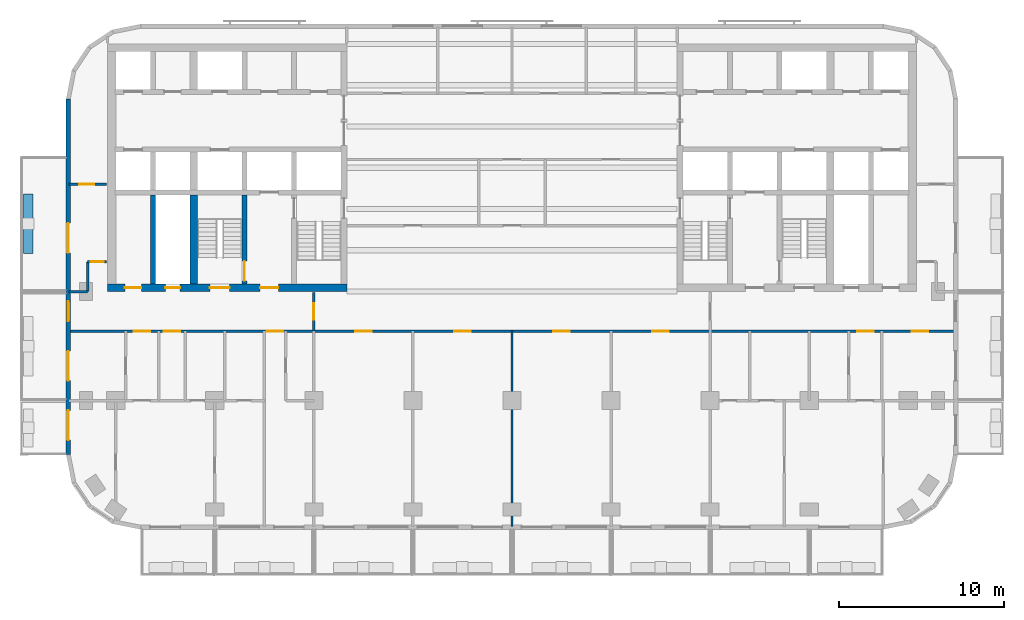
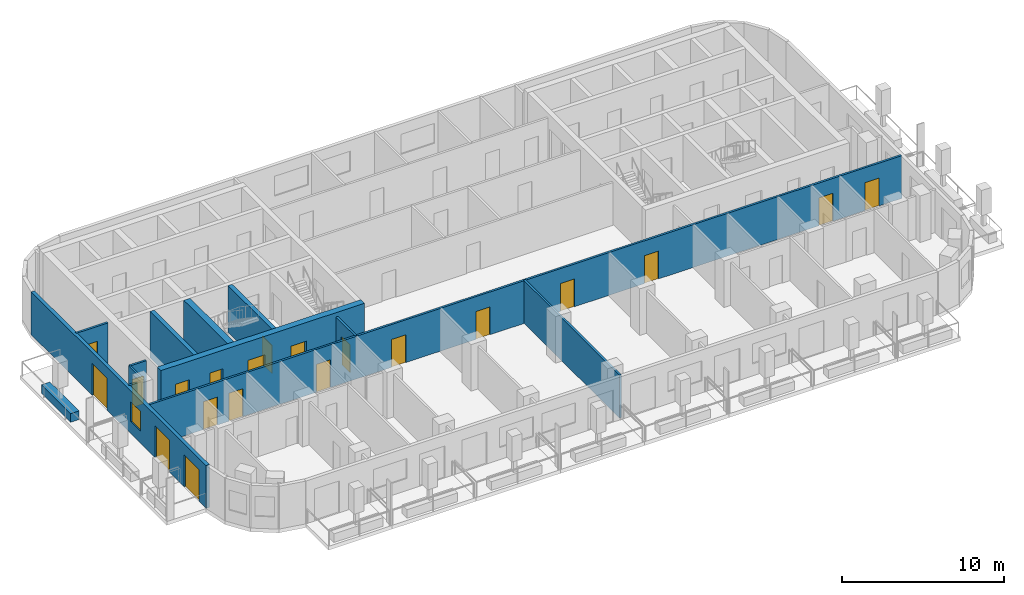
# One storey, part 3 of 11: 20 doors, 13 walls, 1 window, 21 openings.
"""IFC4 building model written with IfcOpenShell, lengths in metres."""

from ifc_helpers import new_model, si_unit, direction, frame, frame_2d, origin, place, context, subcontext, project, spatial, rectangle, extrude, material, layer, layer_set, type_object, element, fill, save


model = new_model("IFC4")

# Units and contexts
model_context = context("Model", 3, precision=1e-05, world=origin(), true_north=direction((0.0, 1.0)))
body_context = subcontext(model_context, "Body", "Model", "MODEL_VIEW")
ifc_project = project(units=[si_unit("LENGTHUNIT", "METRE"), si_unit("AREAUNIT", "SQUARE_METRE"), si_unit("VOLUMEUNIT", "CUBIC_METRE"), si_unit("PLANEANGLEUNIT", "RADIAN"), si_unit("MASSUNIT", "GRAM", prefix="KILO")], contexts=[model_context])

# Site, building, storey
site_placement = place(None, origin())
site = spatial("IfcSite", under=ifc_project, at=site_placement, CompositionType="ELEMENT")
building_placement = place(site_placement, origin())
building = spatial("IfcBuilding", under=site, at=building_placement, Name="Torana Hotel and Residences", CompositionType="ELEMENT")
storey_placement = place(building_placement, frame((0.0, 0.0, 236.10009765625)))
storey = spatial("IfcBuildingStorey", under=building, at=storey_placement, Name="L62", CompositionType="ELEMENT", Elevation=236.10009765625)

# Wall, opening, door
ifc_material_1 = material(Name="Concrete C70/85", Category="concrete")
ifc_layer_1 = layer(ifc_material_1, 0.300048828125)
ifc_layer_set_1 = layer_set([ifc_layer_1], Name="CORE WALL 300 C70/85")
wall_type_1 = type_object("IfcWallType", Name="CORE WALL 300 C70/85", PredefinedType="SHEAR", material=ifc_layer_set_1)
wall_1_placement = place(storey_placement, frame((-16.199951171875, -14.550048828125, 0.0), z_axis=(0.0, 0.0, 1.0), x_axis=(0.0, 1.0, 0.0)))
wall_1 = element("IfcWall", 1, at=wall_1_placement, inside=storey, type_object=wall_type_1, Name="Core wall W x6.05-band", PredefinedType="SHEAR", context=body_context, shape_type="SweptSolid", body=[
    extrude(rectangle(XDim=5.400146484375, YDim=0.300048828125, at=frame_2d((2.7001953125, 0.0))), origin(), (0.0, 0.0, 1.0), 3.5),
])
opening_1_placement = place(wall_1_placement, frame((0.199951171875, 0.0, 0.0)))
opening_1 = element("IfcOpeningElement", 2, at=opening_1_placement, cuts=wall_1, Name="Opening L62-13", PredefinedType="OPENING", context=body_context, shape_type="SweptSolid", body=[
    extrude(rectangle(XDim=1.199951171875, YDim=2.10009765625, at=frame_2d((0.60009765625, 1.050048828125))), frame((0.0, 0.159912109375, 0.0), z_axis=(0.0, -1.0, 0.0), x_axis=(1.0, 0.0, 0.0)), (0.0, 0.0, 1.0), 0.320068359375),
])
ifc_material_2 = material(Name="Steel S235", Category="steel")
door_type_1 = type_object("IfcDoorType", Name="STAIR FIRE DOOR D3 1200x2100", OperationType="SINGLE_SWING_LEFT", PredefinedType="DOOR", material=ifc_material_2)
door_1_placement = place(opening_1_placement, origin())
door_1 = element("IfcDoor", 3, at=door_1_placement, inside=storey, type_object=door_type_1, Name="Stair-B-lobby door L62", OperationType="SINGLE_SWING_RIGHT", OverallHeight=2.10009765625, OverallWidth=1.199951171875, PredefinedType="DOOR", context=body_context, shape_type="SweptSolid", body=[
    extrude(rectangle(XDim=1.199951171875, YDim=2.10009765625, at=frame_2d((0.60009765625, 1.050048828125))), frame((0.0, 0.02490234375, 0.0), z_axis=(0.0, -1.0, 0.0), x_axis=(1.0, 0.0, 0.0)), (0.0, 0.0, 1.0), 0.050048828125),
])
fill(opening_1, door_1)

# Wall
wall_2_placement = place(storey_placement, frame((-21.75, -14.550048828125, 0.0), z_axis=(0.0, 0.0, 1.0), x_axis=(0.0, 1.0, 0.0)))
element("IfcWall", 4, at=wall_2_placement, inside=storey, type_object=wall_type_1, Name="Core wall W mm-band", PredefinedType="SHEAR", context=body_context, shape_type="SweptSolid", body=[
    extrude(rectangle(XDim=5.400146484375, YDim=0.300048828125, at=frame_2d((2.7001953125, 0.0))), origin(), (0.0, 0.0, 1.0), 3.5),
])

# Wall, openings, doors
ifc_material_3 = material(Name="Concrete C70/85", Category="concrete")
ifc_layer_2 = layer(ifc_material_3, 0.449951171875)
ifc_layer_set_2 = layer_set([ifc_layer_2], Name="CORE WALL 450 C70/85")
wall_type_2 = type_object("IfcWallType", Name="CORE WALL 450 C70/85", PredefinedType="SHEAR", material=ifc_layer_set_2)
wall_3_placement = place(storey_placement, frame((-24.5, -14.77490234375, 0.0), z_axis=(0.0, 0.0, 1.0), x_axis=(1.0, 0.0, 0.0)))
wall_3 = element("IfcWall", 5, at=wall_3_placement, inside=storey, type_object=wall_type_2, Name="Core wall W front", PredefinedType="SHEAR", context=body_context, shape_type="SweptSolid", body=[
    extrude(rectangle(XDim=14.5, YDim=0.449951171875, at=frame_2d((7.25, 0.0))), origin(), (0.0, 0.0, 1.0), 3.5),
])
opening_2_placement = place(wall_3_placement, frame((6.199951171875, 0.0, 0.0)))
opening_2 = element("IfcOpeningElement", 6, at=opening_2_placement, cuts=wall_3, Name="Opening L62-04", PredefinedType="OPENING", context=body_context, shape_type="SweptSolid", body=[
    extrude(rectangle(XDim=1.199951171875, YDim=2.10009765625, at=frame_2d((0.60009765625, 1.050048828125))), frame((0.0, 0.23486328125, 0.0), z_axis=(0.0, -1.0, 0.0), x_axis=(1.0, 0.0, 0.0)), (0.0, 0.0, 1.0), 0.469970703125),
])
opening_3_placement = place(wall_3_placement, frame((9.25, 0.0, 0.0)))
opening_3 = element("IfcOpeningElement", 7, at=opening_3_placement, cuts=wall_3, Name="Opening L62-05", PredefinedType="OPENING", context=body_context, shape_type="SweptSolid", body=[
    extrude(rectangle(XDim=1.10009765625, YDim=2.10009765625, at=frame_2d((0.550048828125, 1.050048828125))), frame((0.0, 0.23486328125, 0.0), z_axis=(0.0, -1.0, 0.0), x_axis=(1.0, 0.0, 0.0)), (0.0, 0.0, 1.0), 0.469970703125),
])
opening_4_placement = place(wall_3_placement, frame((3.5, 0.0, 0.0)))
opening_4 = element("IfcOpeningElement", 8, at=opening_4_placement, cuts=wall_3, Name="Opening L62-06", PredefinedType="OPENING", context=body_context, shape_type="SweptSolid", body=[
    extrude(rectangle(XDim=0.89990234375, YDim=2.10009765625, at=frame_2d((0.449951171875, 1.050048828125))), frame((0.0, 0.23486328125, 0.0), z_axis=(0.0, -1.0, 0.0), x_axis=(1.0, 0.0, 0.0)), (0.0, 0.0, 1.0), 0.469970703125),
])
opening_5_placement = place(wall_3_placement, frame((1.050048828125, 0.0, 0.0)))
opening_5 = element("IfcOpeningElement", 9, at=opening_5_placement, cuts=wall_3, Name="Opening L62-07", PredefinedType="OPENING", context=body_context, shape_type="SweptSolid", body=[
    extrude(rectangle(XDim=1.0, YDim=2.10009765625, at=frame_2d((0.5, 1.050048828125))), frame((0.0, 0.23486328125, 0.0), z_axis=(0.0, -1.0, 0.0), x_axis=(1.0, 0.0, 0.0)), (0.0, 0.0, 1.0), 0.469970703125),
])
ifc_material_4 = material(Name="Steel S235", Category="steel")
door_type_2 = type_object("IfcDoorType", Name="CORE ROOM FIRE DOOR D14 1000x2100", OperationType="SINGLE_SWING_LEFT", PredefinedType="DOOR", material=ifc_material_4)
door_2_placement = place(opening_5_placement, origin())
door_2 = element("IfcDoor", 10, at=door_2_placement, inside=storey, type_object=door_type_2, Name="M-Room door L62", OperationType="SINGLE_SWING_RIGHT", OverallHeight=2.10009765625, OverallWidth=1.0, PredefinedType="DOOR", context=body_context, shape_type="SweptSolid", body=[
    extrude(rectangle(XDim=1.0, YDim=2.10009765625, at=frame_2d((0.5, 1.050048828125))), frame((0.0, 0.02490234375, 0.0), z_axis=(0.0, -1.0, 0.0), x_axis=(1.0, 0.0, 0.0)), (0.0, 0.0, 1.0), 0.050048828125),
])
fill(opening_5, door_2)
ifc_material_5 = material(Name="Steel S235", Category="steel")
door_type_3 = type_object("IfcDoorType", Name="FIRE-FIGHTING LOBBY DOOR D8 1100x2100", OperationType="SINGLE_SWING_LEFT", PredefinedType="DOOR", material=ifc_material_5)
door_3_placement = place(opening_3_placement, origin())
door_3 = element("IfcDoor", 11, at=door_3_placement, inside=storey, type_object=door_type_3, Name="FF-lobby door L62", OperationType="SINGLE_SWING_RIGHT", OverallHeight=2.10009765625, OverallWidth=1.10009765625, PredefinedType="DOOR", context=body_context, shape_type="SweptSolid", body=[
    extrude(rectangle(XDim=1.10009765625, YDim=2.10009765625, at=frame_2d((0.550048828125, 1.050048828125))), frame((0.0, 0.02490234375, 0.0), z_axis=(0.0, -1.0, 0.0), x_axis=(1.0, 0.0, 0.0)), (0.0, 0.0, 1.0), 0.050048828125),
])
fill(opening_3, door_3)
ifc_material_6 = material(Name="Steel S235", Category="steel")
door_type_4 = type_object("IfcDoorType", Name="RISER ACCESS DOOR D5 900x2100", OperationType="SINGLE_SWING_LEFT", PredefinedType="DOOR", material=ifc_material_6)
door_4_placement = place(opening_4_placement, origin())
door_4 = element("IfcDoor", 12, at=door_4_placement, inside=storey, type_object=door_type_4, Name="M-Riser door L62", OperationType="SINGLE_SWING_RIGHT", OverallHeight=2.10009765625, OverallWidth=0.89990234375, PredefinedType="DOOR", context=body_context, shape_type="SweptSolid", body=[
    extrude(rectangle(XDim=0.89990234375, YDim=2.10009765625, at=frame_2d((0.449951171875, 1.050048828125))), frame((0.0, 0.02490234375, 0.0), z_axis=(0.0, -1.0, 0.0), x_axis=(1.0, 0.0, 0.0)), (0.0, 0.0, 1.0), 0.050048828125),
])
fill(opening_4, door_4)
door_5_placement = place(opening_2_placement, origin())
door_5 = element("IfcDoor", 13, at=door_5_placement, inside=storey, type_object=door_type_1, Name="Stair-B door L62", OperationType="SINGLE_SWING_RIGHT", OverallHeight=2.10009765625, OverallWidth=1.199951171875, PredefinedType="DOOR", context=body_context, shape_type="SweptSolid", body=[
    extrude(rectangle(XDim=1.199951171875, YDim=2.10009765625, at=frame_2d((0.60009765625, 1.050048828125))), frame((0.0, 0.02490234375, 0.0), z_axis=(0.0, -1.0, 0.0), x_axis=(1.0, 0.0, 0.0)), (0.0, 0.0, 1.0), 0.050048828125),
])
fill(opening_2, door_5)

# Wall
wall_4_placement = place(storey_placement, frame((-19.27490234375, -14.550048828125, 0.0), z_axis=(0.0, 0.0, 1.0), x_axis=(0.0, 1.0, 0.0)))
element("IfcWall", 14, at=wall_4_placement, inside=storey, type_object=wall_type_2, Name="Core wall W hm-band", PredefinedType="SHEAR", context=body_context, shape_type="SweptSolid", body=[
    extrude(rectangle(XDim=5.400146484375, YDim=0.449951171875, at=frame_2d((2.7001953125, 0.0))), origin(), (0.0, 0.0, 1.0), 3.5),
])

# Wall, openings, doors, window
ifc_material_7 = material(Name="Black aluminium composite panel", Category="aluminium")
ifc_layer_3 = layer(ifc_material_7, 0.00390625, Name="Cladding", Category="cladding")
ifc_material_8 = material(Name="Ventilated air cavity")
ifc_layer_4 = layer(ifc_material_8, 0.0400390625, Name="Ventilated cavity", Category="cavity")
ifc_material_9 = material(Name="Mineral wool insulation")
ifc_layer_5 = layer(ifc_material_9, 0.090087890625, Name="Insulation", Category="insulation")
ifc_material_10 = material(Name="Steel S280GD", Category="steel")
ifc_layer_6 = layer(ifc_material_10, 0.092041015625, Name="Steel stud frame", Category="structure")
ifc_material_11 = material(Name="Fire rated plasterboard")
ifc_layer_7 = layer(ifc_material_11, 0.011962890625, Name="Inner board", Category="finish")
ifc_layer_8 = layer(ifc_material_11, 0.011962890625, Name="Second board", Category="finish")
ifc_layer_set_3 = layer_set([ifc_layer_3, ifc_layer_4, ifc_layer_5, ifc_layer_6, ifc_layer_7, ifc_layer_8], Name="EW1 EXTERNAL WALL BLACK METAL CLAD 250")
wall_type_3 = type_object("IfcWallType", Name="EW1 EXTERNAL WALL BLACK METAL CLAD 250", PredefinedType="SOLIDWALL", material=ifc_layer_set_3)
wall_5_placement = place(storey_placement, frame((-26.875, -3.32470703125, 0.0), z_axis=(0.0, 0.0, 1.0), x_axis=(0.0, -1.0, 0.0)))
wall_5 = element("IfcWall", 15, at=wall_5_placement, inside=storey, type_object=wall_type_3, Name="External wall L62 e0.9", PredefinedType="SOLIDWALL", context=body_context, shape_type="SweptSolid", body=[
    extrude(rectangle(XDim=21.55078125, YDim=0.25, at=frame_2d((10.775390625, 0.0))), origin(), (0.0, 0.0, 1.0), 3.219970703125),
])
opening_6_placement = place(wall_5_placement, frame((7.525390625, 0.0, 0.0)))
opening_6 = element("IfcOpeningElement", 16, at=opening_6_placement, cuts=wall_5, Name="Opening L62-E12", PredefinedType="OPENING", context=body_context, shape_type="SweptSolid", body=[
    extrude(rectangle(XDim=1.800048828125, YDim=2.39990234375, at=frame_2d((0.89990234375, 1.199951171875))), frame((0.0, 0.135009765625, 0.0), z_axis=(0.0, -1.0, 0.0), x_axis=(1.0, 0.0, 0.0)), (0.0, 0.0, 1.0), 0.27001953125),
])
opening_7_placement = place(wall_5_placement, frame((12.275390625, 0.0, 0.89990234375)))
opening_7 = element("IfcOpeningElement", 17, at=opening_7_placement, cuts=wall_5, Name="Opening W5", PredefinedType="OPENING", context=body_context, shape_type="SweptSolid", body=[
    extrude(rectangle(XDim=1.199951171875, YDim=1.5, at=frame_2d((0.60009765625, 0.75))), frame((0.0, 0.135009765625, 0.0), z_axis=(0.0, -1.0, 0.0), x_axis=(1.0, 0.0, 0.0)), (0.0, 0.0, 1.0), 0.27001953125),
])
opening_8_placement = place(wall_5_placement, frame((15.275390625, 0.0, 0.0)))
opening_8 = element("IfcOpeningElement", 18, at=opening_8_placement, cuts=wall_5, Name="Opening L62-E13", PredefinedType="OPENING", context=body_context, shape_type="SweptSolid", body=[
    extrude(rectangle(XDim=1.800048828125, YDim=2.39990234375, at=frame_2d((0.89990234375, 1.199951171875))), frame((0.0, 0.135009765625, 0.0), z_axis=(0.0, -1.0, 0.0), x_axis=(1.0, 0.0, 0.0)), (0.0, 0.0, 1.0), 0.27001953125),
])
opening_9_placement = place(wall_5_placement, frame((18.87548828125, 0.0, 0.0)))
opening_9 = element("IfcOpeningElement", 19, at=opening_9_placement, cuts=wall_5, Name="Opening L62-E14", PredefinedType="OPENING", context=body_context, shape_type="SweptSolid", body=[
    extrude(rectangle(XDim=1.800048828125, YDim=2.39990234375, at=frame_2d((0.89990234375, 1.199951171875))), frame((0.0, 0.135009765625, 0.0), z_axis=(0.0, -1.0, 0.0), x_axis=(1.0, 0.0, 0.0)), (0.0, 0.0, 1.0), 0.27001953125),
])
ifc_material_12 = material(Name="Dark glass in black aluminium frame", Category="aluminium")
door_type_5 = type_object("IfcDoorType", Name="DB1 BALCONY DOOR 1800x2400", OperationType="DOUBLE_DOOR_SINGLE_SWING", PredefinedType="DOOR", material=ifc_material_12)
door_6_placement = place(opening_6_placement, origin())
door_6 = element("IfcDoor", 20, at=door_6_placement, inside=storey, type_object=door_type_5, Name="Balcony door L62", OperationType="DOUBLE_DOOR_SINGLE_SWING", OverallHeight=2.39990234375, OverallWidth=1.800048828125, PredefinedType="DOOR", context=body_context, shape_type="SweptSolid", body=[
    extrude(rectangle(XDim=1.800048828125, YDim=2.39990234375, at=frame_2d((0.89990234375, 1.199951171875))), frame((0.0, 0.02490234375, 0.0), z_axis=(0.0, -1.0, 0.0), x_axis=(1.0, 0.0, 0.0)), (0.0, 0.0, 1.0), 0.050048828125),
])
fill(opening_6, door_6)
door_7_placement = place(opening_8_placement, origin())
door_7 = element("IfcDoor", 21, at=door_7_placement, inside=storey, type_object=door_type_5, Name="Balcony door L62", OperationType="DOUBLE_DOOR_SINGLE_SWING", OverallHeight=2.39990234375, OverallWidth=1.800048828125, PredefinedType="DOOR", context=body_context, shape_type="SweptSolid", body=[
    extrude(rectangle(XDim=1.800048828125, YDim=2.39990234375, at=frame_2d((0.89990234375, 1.199951171875))), frame((0.0, 0.02490234375, 0.0), z_axis=(0.0, -1.0, 0.0), x_axis=(1.0, 0.0, 0.0)), (0.0, 0.0, 1.0), 0.050048828125),
])
fill(opening_8, door_7)
door_8_placement = place(opening_9_placement, origin())
door_8 = element("IfcDoor", 22, at=door_8_placement, inside=storey, type_object=door_type_5, Name="Balcony door L62", OperationType="DOUBLE_DOOR_SINGLE_SWING", OverallHeight=2.39990234375, OverallWidth=1.800048828125, PredefinedType="DOOR", context=body_context, shape_type="SweptSolid", body=[
    extrude(rectangle(XDim=1.800048828125, YDim=2.39990234375, at=frame_2d((0.89990234375, 1.199951171875))), frame((0.0, 0.02490234375, 0.0), z_axis=(0.0, -1.0, 0.0), x_axis=(1.0, 0.0, 0.0)), (0.0, 0.0, 1.0), 0.050048828125),
])
fill(opening_9, door_8)
ifc_material_13 = material(Name="Dark glass in black aluminium frame", Category="aluminium")
window_type = type_object("IfcWindowType", Name="W5 CORNER FACET WINDOW 1200x1500", PartitioningType="SINGLE_PANEL", PredefinedType="WINDOW", material=ifc_material_13)
window_placement = place(opening_7_placement, origin())
window = element("IfcWindow", 23, at=window_placement, inside=storey, type_object=window_type, Name="Window L62", OverallHeight=1.5, OverallWidth=1.199951171875, PartitioningType="SINGLE_PANEL", PredefinedType="WINDOW", context=body_context, shape_type="SweptSolid", body=[
    extrude(rectangle(XDim=1.199951171875, YDim=1.5, at=frame_2d((0.60009765625, 0.75))), frame((0.0, 0.030029296875, 0.0), z_axis=(0.0, -1.0, 0.0), x_axis=(1.0, 0.0, 0.0)), (0.0, 0.0, 1.0), 0.06005859375),
])
fill(opening_7, window)

# Wall, opening, door
ifc_material_14 = material(Name="Gypsum plaster")
ifc_layer_9 = layer(ifc_material_14, 0.014892578125, Name="Plaster", Category="finish")
ifc_material_15 = material(Name="Concrete blockwork", Category="masonry")
ifc_layer_10 = layer(ifc_material_15, 0.1201171875, Name="Blockwork", Category="structure")
ifc_layer_11 = layer(ifc_material_14, 0.014892578125, Name="Plaster", Category="finish")
ifc_layer_set_4 = layer_set([ifc_layer_9, ifc_layer_10, ifc_layer_11], Name="FIRE PARTITION 150 BLOCKWORK")
wall_type_4 = type_object("IfcWallType", Name="FIRE PARTITION 150 BLOCKWORK", PredefinedType="PARTITIONING", material=ifc_layer_set_4)
wall_6_placement = place(storey_placement, frame((-12.0, -17.39990234375, 0.0), z_axis=(0.0, 0.0, 1.0), x_axis=(0.0, 1.0, 0.0)))
wall_6 = element("IfcWall", 24, at=wall_6_placement, inside=storey, type_object=wall_type_4, Name="Partition L62", PredefinedType="PARTITIONING", context=body_context, shape_type="SweptSolid", body=[
    extrude(rectangle(XDim=2.349853515625, YDim=0.14990234375, at=frame_2d((1.1748046875, 0.0))), origin(), (0.0, 0.0, 1.0), 3.219970703125),
])
opening_10_placement = place(wall_6_placement, frame((0.699951171875, 0.0, 0.0)))
opening_10 = element("IfcOpeningElement", 25, at=opening_10_placement, cuts=wall_6, Name="Opening L62-27", PredefinedType="OPENING", context=body_context, shape_type="SweptSolid", body=[
    extrude(rectangle(XDim=1.0, YDim=2.10009765625, at=frame_2d((0.5, 1.050048828125))), frame((0.0, 0.0849609375, 0.0), z_axis=(0.0, -1.0, 0.0), x_axis=(1.0, 0.0, 0.0)), (0.0, 0.0, 1.0), 0.169921875),
])
ifc_material_16 = material(Name="Steel S235", Category="steel")
door_type_6 = type_object("IfcDoorType", Name="ENTRY FIRE DOOR D6 1000x2100", OperationType="SINGLE_SWING_LEFT", PredefinedType="DOOR", material=ifc_material_16)
door_9_placement = place(opening_10_placement, origin())
door_9 = element("IfcDoor", 26, at=door_9_placement, inside=storey, type_object=door_type_6, Name="Door L62", OperationType="SINGLE_SWING_RIGHT", OverallHeight=2.10009765625, OverallWidth=1.0, PredefinedType="DOOR", context=body_context, shape_type="SweptSolid", body=[
    extrude(rectangle(XDim=1.0, YDim=2.10009765625, at=frame_2d((0.5, 1.050048828125))), frame((0.0, 0.02490234375, 0.0), z_axis=(0.0, -1.0, 0.0), x_axis=(1.0, 0.0, 0.0)), (0.0, 0.0, 1.0), 0.050048828125),
])
fill(opening_10, door_9)

# Wall
wall_7_placement = place(storey_placement, frame((-25.699951171875, -15.0, 0.0), z_axis=(0.0, 0.0, 1.0), x_axis=(0.0, 1.0, 0.0)))
element("IfcWall", 27, at=wall_7_placement, inside=storey, type_object=wall_type_4, Name="Partition L62", PredefinedType="PARTITIONING", context=body_context, shape_type="SweptSolid", body=[
    extrude(rectangle(XDim=1.800048828125, YDim=0.14990234375, at=frame_2d((0.89990234375, 0.0))), origin(), (0.0, 0.0, 1.0), 3.219970703125),
])

# Wall, openings, doors
wall_8_placement = place(storey_placement, frame((-26.820068359375, -17.39990234375, 0.0), z_axis=(0.0, 0.0, 1.0), x_axis=(1.0, 0.0, 0.0)))
wall_8 = element("IfcWall", 28, at=wall_8_placement, inside=storey, type_object=wall_type_4, Name="Partition L62", PredefinedType="PARTITIONING", context=body_context, shape_type="SweptSolid", body=[
    extrude(rectangle(XDim=53.64013671875, YDim=0.14990234375, at=frame_2d((26.820068359375, 0.0))), origin(), (0.0, 0.0, 1.0), 3.219970703125),
])
opening_11_placement = place(wall_8_placement, frame((11.969970703125, 0.0, 0.0)))
opening_11 = element("IfcOpeningElement", 29, at=opening_11_placement, cuts=wall_8, Name="Opening L62-28", PredefinedType="OPENING", context=body_context, shape_type="SweptSolid", body=[
    extrude(rectangle(XDim=1.0, YDim=2.10009765625, at=frame_2d((0.5, 1.050048828125))), frame((0.0, 0.0849609375, 0.0), z_axis=(0.0, -1.0, 0.0), x_axis=(1.0, 0.0, 0.0)), (0.0, 0.0, 1.0), 0.169921875),
])
opening_12_placement = place(wall_8_placement, frame((3.919921875, 0.0, 0.0)))
opening_12 = element("IfcOpeningElement", 30, at=opening_12_placement, cuts=wall_8, Name="Opening L62-29", PredefinedType="OPENING", context=body_context, shape_type="SweptSolid", body=[
    extrude(rectangle(XDim=1.0, YDim=2.10009765625, at=frame_2d((0.5, 1.050048828125))), frame((0.0, 0.0849609375, 0.0), z_axis=(0.0, -1.0, 0.0), x_axis=(1.0, 0.0, 0.0)), (0.0, 0.0, 1.0), 0.169921875),
])
opening_13_placement = place(wall_8_placement, frame((5.719970703125, 0.0, 0.0)))
opening_13 = element("IfcOpeningElement", 31, at=opening_13_placement, cuts=wall_8, Name="Opening L62-30", PredefinedType="OPENING", context=body_context, shape_type="SweptSolid", body=[
    extrude(rectangle(XDim=1.0, YDim=2.10009765625, at=frame_2d((0.5, 1.050048828125))), frame((0.0, 0.0849609375, 0.0), z_axis=(0.0, -1.0, 0.0), x_axis=(1.0, 0.0, 0.0)), (0.0, 0.0, 1.0), 0.169921875),
])
opening_14_placement = place(wall_8_placement, frame((47.719970703125, 0.0, 0.0)))
opening_14 = element("IfcOpeningElement", 32, at=opening_14_placement, cuts=wall_8, Name="Opening L62-33", PredefinedType="OPENING", context=body_context, shape_type="SweptSolid", body=[
    extrude(rectangle(XDim=1.0, YDim=2.10009765625, at=frame_2d((0.5, 1.050048828125))), frame((0.0, 0.0849609375, 0.0), z_axis=(0.0, -1.0, 0.0), x_axis=(1.0, 0.0, 0.0)), (0.0, 0.0, 1.0), 0.169921875),
])
opening_15_placement = place(wall_8_placement, frame((51.02001953125, 0.0, 0.0)))
opening_15 = element("IfcOpeningElement", 33, at=opening_15_placement, cuts=wall_8, Name="Opening L62-34", PredefinedType="OPENING", context=body_context, shape_type="SweptSolid", body=[
    extrude(rectangle(XDim=1.0, YDim=2.10009765625, at=frame_2d((0.5, 1.050048828125))), frame((0.0, 0.0849609375, 0.0), z_axis=(0.0, -1.0, 0.0), x_axis=(1.0, 0.0, 0.0)), (0.0, 0.0, 1.0), 0.169921875),
])
opening_16_placement = place(wall_8_placement, frame((17.320068359375, 0.0, 0.0)))
opening_16 = element("IfcOpeningElement", 34, at=opening_16_placement, cuts=wall_8, Name="Opening L62-37", PredefinedType="OPENING", context=body_context, shape_type="SweptSolid", body=[
    extrude(rectangle(XDim=1.0, YDim=2.10009765625, at=frame_2d((0.5, 1.050048828125))), frame((0.0, 0.0849609375, 0.0), z_axis=(0.0, -1.0, 0.0), x_axis=(1.0, 0.0, 0.0)), (0.0, 0.0, 1.0), 0.169921875),
])
opening_17_placement = place(wall_8_placement, frame((23.320068359375, 0.0, 0.0)))
opening_17 = element("IfcOpeningElement", 35, at=opening_17_placement, cuts=wall_8, Name="Opening L62-38", PredefinedType="OPENING", context=body_context, shape_type="SweptSolid", body=[
    extrude(rectangle(XDim=1.0, YDim=2.10009765625, at=frame_2d((0.5, 1.050048828125))), frame((0.0, 0.0849609375, 0.0), z_axis=(0.0, -1.0, 0.0), x_axis=(1.0, 0.0, 0.0)), (0.0, 0.0, 1.0), 0.169921875),
])
opening_18_placement = place(wall_8_placement, frame((29.320068359375, 0.0, 0.0)))
opening_18 = element("IfcOpeningElement", 36, at=opening_18_placement, cuts=wall_8, Name="Opening L62-39", PredefinedType="OPENING", context=body_context, shape_type="SweptSolid", body=[
    extrude(rectangle(XDim=1.0, YDim=2.10009765625, at=frame_2d((0.5, 1.050048828125))), frame((0.0, 0.0849609375, 0.0), z_axis=(0.0, -1.0, 0.0), x_axis=(1.0, 0.0, 0.0)), (0.0, 0.0, 1.0), 0.169921875),
])
opening_19_placement = place(wall_8_placement, frame((35.320068359375, 0.0, 0.0)))
opening_19 = element("IfcOpeningElement", 37, at=opening_19_placement, cuts=wall_8, Name="Opening L62-40", PredefinedType="OPENING", context=body_context, shape_type="SweptSolid", body=[
    extrude(rectangle(XDim=1.0, YDim=2.10009765625, at=frame_2d((0.5, 1.050048828125))), frame((0.0, 0.0849609375, 0.0), z_axis=(0.0, -1.0, 0.0), x_axis=(1.0, 0.0, 0.0)), (0.0, 0.0, 1.0), 0.169921875),
])
door_10_placement = place(opening_11_placement, frame((0.5, 0.0, 0.0), z_axis=(0.0, 0.0, 1.0), x_axis=(-1.0, 0.0, 0.0)))
door_10 = element("IfcDoor", 38, at=door_10_placement, inside=storey, type_object=door_type_6, Name="Door L62", OperationType="SINGLE_SWING_LEFT", OverallHeight=2.10009765625, OverallWidth=1.0, PredefinedType="DOOR", context=body_context, shape_type="SweptSolid", body=[
    extrude(rectangle(XDim=1.0, YDim=2.10009765625, at=frame_2d((0.0, 1.050048828125))), frame((0.0, -0.02490234375, 0.0), z_axis=(0.0, 1.0, 0.0), x_axis=(-1.0, 0.0, 0.0)), (0.0, 0.0, 1.0), 0.050048828125),
])
fill(opening_11, door_10)
door_11_placement = place(opening_12_placement, origin())
door_11 = element("IfcDoor", 39, at=door_11_placement, inside=storey, type_object=door_type_6, Name="Door L62", OperationType="SINGLE_SWING_RIGHT", OverallHeight=2.10009765625, OverallWidth=1.0, PredefinedType="DOOR", context=body_context, shape_type="SweptSolid", body=[
    extrude(rectangle(XDim=1.0, YDim=2.10009765625, at=frame_2d((0.5, 1.050048828125))), frame((0.0, 0.02490234375, 0.0), z_axis=(0.0, -1.0, 0.0), x_axis=(1.0, 0.0, 0.0)), (0.0, 0.0, 1.0), 0.050048828125),
])
fill(opening_12, door_11)
door_12_placement = place(opening_13_placement, frame((0.5, 0.0, 0.0), z_axis=(0.0, 0.0, 1.0), x_axis=(-1.0, 0.0, 0.0)))
door_12 = element("IfcDoor", 40, at=door_12_placement, inside=storey, type_object=door_type_6, Name="Door L62", OperationType="SINGLE_SWING_LEFT", OverallHeight=2.10009765625, OverallWidth=1.0, PredefinedType="DOOR", context=body_context, shape_type="SweptSolid", body=[
    extrude(rectangle(XDim=1.0, YDim=2.10009765625, at=frame_2d((0.0, 1.050048828125))), frame((0.0, -0.02490234375, 0.0), z_axis=(0.0, 1.0, 0.0), x_axis=(-1.0, 0.0, 0.0)), (0.0, 0.0, 1.0), 0.050048828125),
])
fill(opening_13, door_12)
door_13_placement = place(opening_14_placement, origin())
door_13 = element("IfcDoor", 41, at=door_13_placement, inside=storey, type_object=door_type_6, Name="Door L62", OperationType="SINGLE_SWING_RIGHT", OverallHeight=2.10009765625, OverallWidth=1.0, PredefinedType="DOOR", context=body_context, shape_type="SweptSolid", body=[
    extrude(rectangle(XDim=1.0, YDim=2.10009765625, at=frame_2d((0.5, 1.050048828125))), frame((0.0, 0.02490234375, 0.0), z_axis=(0.0, -1.0, 0.0), x_axis=(1.0, 0.0, 0.0)), (0.0, 0.0, 1.0), 0.050048828125),
])
fill(opening_14, door_13)
door_14_placement = place(opening_15_placement, frame((0.5, 0.0, 0.0), z_axis=(0.0, 0.0, 1.0), x_axis=(-1.0, 0.0, 0.0)))
door_14 = element("IfcDoor", 42, at=door_14_placement, inside=storey, type_object=door_type_6, Name="Door L62", OperationType="SINGLE_SWING_LEFT", OverallHeight=2.10009765625, OverallWidth=1.0, PredefinedType="DOOR", context=body_context, shape_type="SweptSolid", body=[
    extrude(rectangle(XDim=1.0, YDim=2.10009765625, at=frame_2d((0.0, 1.050048828125))), frame((0.0, -0.02490234375, 0.0), z_axis=(0.0, 1.0, 0.0), x_axis=(-1.0, 0.0, 0.0)), (0.0, 0.0, 1.0), 0.050048828125),
])
fill(opening_15, door_14)
door_15_placement = place(opening_16_placement, frame((0.5, 0.0, 0.0), z_axis=(0.0, 0.0, 1.0), x_axis=(-1.0, 0.0, 0.0)))
door_15 = element("IfcDoor", 43, at=door_15_placement, inside=storey, type_object=door_type_6, Name="Door L62", OperationType="SINGLE_SWING_LEFT", OverallHeight=2.10009765625, OverallWidth=1.0, PredefinedType="DOOR", context=body_context, shape_type="SweptSolid", body=[
    extrude(rectangle(XDim=1.0, YDim=2.10009765625, at=frame_2d((0.0, 1.050048828125))), frame((0.0, -0.02490234375, 0.0), z_axis=(0.0, 1.0, 0.0), x_axis=(-1.0, 0.0, 0.0)), (0.0, 0.0, 1.0), 0.050048828125),
])
fill(opening_16, door_15)
door_16_placement = place(opening_17_placement, frame((0.5, 0.0, 0.0), z_axis=(0.0, 0.0, 1.0), x_axis=(-1.0, 0.0, 0.0)))
door_16 = element("IfcDoor", 44, at=door_16_placement, inside=storey, type_object=door_type_6, Name="Door L62", OperationType="SINGLE_SWING_LEFT", OverallHeight=2.10009765625, OverallWidth=1.0, PredefinedType="DOOR", context=body_context, shape_type="SweptSolid", body=[
    extrude(rectangle(XDim=1.0, YDim=2.10009765625, at=frame_2d((0.0, 1.050048828125))), frame((0.0, -0.02490234375, 0.0), z_axis=(0.0, 1.0, 0.0), x_axis=(-1.0, 0.0, 0.0)), (0.0, 0.0, 1.0), 0.050048828125),
])
fill(opening_17, door_16)
door_17_placement = place(opening_18_placement, frame((0.5, 0.0, 0.0), z_axis=(0.0, 0.0, 1.0), x_axis=(-1.0, 0.0, 0.0)))
door_17 = element("IfcDoor", 45, at=door_17_placement, inside=storey, type_object=door_type_6, Name="Door L62", OperationType="SINGLE_SWING_LEFT", OverallHeight=2.10009765625, OverallWidth=1.0, PredefinedType="DOOR", context=body_context, shape_type="SweptSolid", body=[
    extrude(rectangle(XDim=1.0, YDim=2.10009765625, at=frame_2d((0.0, 1.050048828125))), frame((0.0, -0.02490234375, 0.0), z_axis=(0.0, 1.0, 0.0), x_axis=(-1.0, 0.0, 0.0)), (0.0, 0.0, 1.0), 0.050048828125),
])
fill(opening_18, door_17)
door_18_placement = place(opening_19_placement, frame((0.5, 0.0, 0.0), z_axis=(0.0, 0.0, 1.0), x_axis=(-1.0, 0.0, 0.0)))
door_18 = element("IfcDoor", 46, at=door_18_placement, inside=storey, type_object=door_type_6, Name="Door L62", OperationType="SINGLE_SWING_LEFT", OverallHeight=2.10009765625, OverallWidth=1.0, PredefinedType="DOOR", context=body_context, shape_type="SweptSolid", body=[
    extrude(rectangle(XDim=1.0, YDim=2.10009765625, at=frame_2d((0.0, 1.050048828125))), frame((0.0, -0.02490234375, 0.0), z_axis=(0.0, 1.0, 0.0), x_axis=(-1.0, 0.0, 0.0)), (0.0, 0.0, 1.0), 0.050048828125),
])
fill(opening_19, door_18)

# Wall
wall_9_placement = place(storey_placement, frame((-26.820068359375, -15.0, 0.0), z_axis=(0.0, 0.0, 1.0), x_axis=(1.0, 0.0, 0.0)))
element("IfcWall", 47, at=wall_9_placement, inside=storey, type_object=wall_type_4, Name="Partition L62", PredefinedType="PARTITIONING", context=body_context, shape_type="SweptSolid", body=[
    extrude(rectangle(XDim=1.1201171875, YDim=0.14990234375, at=frame_2d((0.56005859375, 0.0))), origin(), (0.0, 0.0, 1.0), 3.219970703125),
])

# Wall, opening, door
wall_10_placement = place(storey_placement, frame((-25.699951171875, -13.199951171875, 0.0), z_axis=(0.0, 0.0, 1.0), x_axis=(1.0, 0.0, 0.0)))
wall_10 = element("IfcWall", 48, at=wall_10_placement, inside=storey, type_object=wall_type_4, Name="Partition L62", PredefinedType="PARTITIONING", context=body_context, shape_type="SweptSolid", body=[
    extrude(rectangle(XDim=1.14990234375, YDim=0.14990234375, at=frame_2d((0.574951171875, 0.0))), origin(), (0.0, 0.0, 1.0), 3.219970703125),
])
opening_20_placement = place(wall_10_placement, frame((0.175048828125, 0.0, 0.0)))
opening_20 = element("IfcOpeningElement", 49, at=opening_20_placement, cuts=wall_10, Name="Opening L62-31", PredefinedType="OPENING", context=body_context, shape_type="SweptSolid", body=[
    extrude(rectangle(XDim=0.800048828125, YDim=2.10009765625, at=frame_2d((0.39990234375, 1.050048828125))), frame((0.0, 0.0849609375, 0.0), z_axis=(0.0, -1.0, 0.0), x_axis=(1.0, 0.0, 0.0)), (0.0, 0.0, 1.0), 0.169921875),
])
ifc_material_17 = material(Name="Steel S235", Category="steel")
door_type_7 = type_object("IfcDoorType", Name="STORE FIRE DOOR D16 800x2100", OperationType="SINGLE_SWING_LEFT", PredefinedType="DOOR", material=ifc_material_17)
door_19_placement = place(opening_20_placement, origin())
door_19 = element("IfcDoor", 50, at=door_19_placement, inside=storey, type_object=door_type_7, Name="Door L62", OperationType="SINGLE_SWING_LEFT", OverallHeight=2.10009765625, OverallWidth=0.800048828125, PredefinedType="DOOR", context=body_context, shape_type="SweptSolid", body=[
    extrude(rectangle(XDim=0.800048828125, YDim=2.10009765625, at=frame_2d((0.39990234375, 1.050048828125))), frame((0.0, 0.02490234375, 0.0), z_axis=(0.0, -1.0, 0.0), x_axis=(1.0, 0.0, 0.0)), (0.0, 0.0, 1.0), 0.050048828125),
])
fill(opening_20, door_19)

# Wall
ifc_material_18 = material(Name="Gypsum plasterboard")
ifc_layer_12 = layer(ifc_material_18, 0.012451171875, Name="Plasterboard", Category="finish")
ifc_layer_13 = layer(ifc_material_18, 0.012451171875, Name="Plasterboard", Category="finish")
ifc_layer_14 = layer(ifc_material_10, 0.10009765625, Name="Steel studs with mineral wool", Category="insulation")
ifc_layer_15 = layer(ifc_material_18, 0.012451171875, Name="Plasterboard", Category="finish")
ifc_layer_16 = layer(ifc_material_18, 0.012451171875, Name="Plasterboard", Category="finish")
ifc_layer_set_5 = layer_set([ifc_layer_12, ifc_layer_13, ifc_layer_14, ifc_layer_15, ifc_layer_16], Name="PARTITION 150 PLASTERBOARD")
wall_type_5 = type_object("IfcWallType", Name="PARTITION 150 PLASTERBOARD", PredefinedType="PARTITIONING", material=ifc_layer_set_5)
wall_11_placement = place(storey_placement, frame((0.0, -29.219970703125, 0.0), z_axis=(0.0, 0.0, 1.0), x_axis=(0.0, 1.0, 0.0)))
element("IfcWall", 51, at=wall_11_placement, inside=storey, type_object=wall_type_5, Name="Partition L62", PredefinedType="PARTITIONING", context=body_context, shape_type="SweptSolid", body=[
    extrude(rectangle(XDim=11.820068359375, YDim=0.14990234375, at=frame_2d((5.91015625, 0.0))), origin(), (0.0, 0.0, 1.0), 3.219970703125),
])

# Wall, opening, door
wall_12_placement = place(storey_placement, frame((-26.820068359375, -8.5, 0.0), z_axis=(0.0, 0.0, 1.0), x_axis=(1.0, 0.0, 0.0)))
wall_12 = element("IfcWall", 52, at=wall_12_placement, inside=storey, type_object=wall_type_5, Name="Partition L62", PredefinedType="PARTITIONING", context=body_context, shape_type="SweptSolid", body=[
    extrude(rectangle(XDim=2.27001953125, YDim=0.14990234375, at=frame_2d((1.135009765625, 0.0))), origin(), (0.0, 0.0, 1.0), 3.219970703125),
])
opening_21_placement = place(wall_12_placement, frame((0.6201171875, 0.0, 0.0)))
opening_21 = element("IfcOpeningElement", 53, at=opening_21_placement, cuts=wall_12, Name="Opening L62-62", PredefinedType="OPENING", context=body_context, shape_type="SweptSolid", body=[
    extrude(rectangle(XDim=0.89990234375, YDim=2.10009765625, at=frame_2d((0.449951171875, 1.050048828125))), frame((0.0, 0.0849609375, 0.0), z_axis=(0.0, -1.0, 0.0), x_axis=(1.0, 0.0, 0.0)), (0.0, 0.0, 1.0), 0.169921875),
])
ifc_material_19 = material(Name="Timber door, oiled ash", Category="wood")
door_type_8 = type_object("IfcDoorType", Name="ROOM DOOR D7 900x2100", OperationType="SINGLE_SWING_LEFT", PredefinedType="DOOR", material=ifc_material_19)
door_20_placement = place(opening_21_placement, origin())
door_20 = element("IfcDoor", 54, at=door_20_placement, inside=storey, type_object=door_type_8, Name="Door L62", OperationType="SINGLE_SWING_RIGHT", OverallHeight=2.10009765625, OverallWidth=0.89990234375, PredefinedType="DOOR", context=body_context, shape_type="SweptSolid", body=[
    extrude(rectangle(XDim=0.89990234375, YDim=2.10009765625, at=frame_2d((0.449951171875, 1.050048828125))), frame((0.0, 0.02490234375, 0.0), z_axis=(0.0, -1.0, 0.0), x_axis=(1.0, 0.0, 0.0)), (0.0, 0.0, 1.0), 0.050048828125),
])
fill(opening_21, door_20)

# Wall
ifc_material_20 = material(Name="Concrete C40/50 precast", Category="concrete")
ifc_layer_17 = layer(ifc_material_20, 0.10009765625, Name="Planter shell", Category="structure")
ifc_material_21 = material(Name="Root resistant membrane")
ifc_layer_18 = layer(ifc_material_21, 0.00390625, Name="Waterproofing membrane", Category="membrane")
ifc_material_22 = material(Name="Drainage board with filter fleece")
ifc_layer_19 = layer(ifc_material_22, 0.02001953125, Name="Drainage board", Category="drainage")
ifc_material_23 = material(Name="Growing medium")
ifc_layer_20 = layer(ifc_material_23, 0.47607421875, Name="Planting substrate", Category="soil")
ifc_layer_set_6 = layer_set([ifc_layer_17, ifc_layer_18, ifc_layer_19, ifc_layer_20], Name="PL1 BALCONY PLANTER 600")
wall_type_6 = type_object("IfcWallType", Name="PL1 BALCONY PLANTER 600", PredefinedType="USERDEFINED", material=ifc_layer_set_6)
wall_13_placement = place(storey_placement, frame((-29.300048828125, -12.699951171875, 0.0), z_axis=(0.0, 0.0, 1.0), x_axis=(0.0, 1.0, 0.0)))
element("IfcWall", 55, at=wall_13_placement, inside=storey, type_object=wall_type_6, Name="Planter 11", ObjectType="PLANTER", PredefinedType="USERDEFINED", context=body_context, shape_type="SweptSolid", body=[
    extrude(rectangle(XDim=3.599853515625, YDim=0.60009765625, at=frame_2d((1.7998046875, 0.0))), origin(), (0.0, 0.0, 1.0), 0.64990234375),
])

save(model, "model.ifc")
